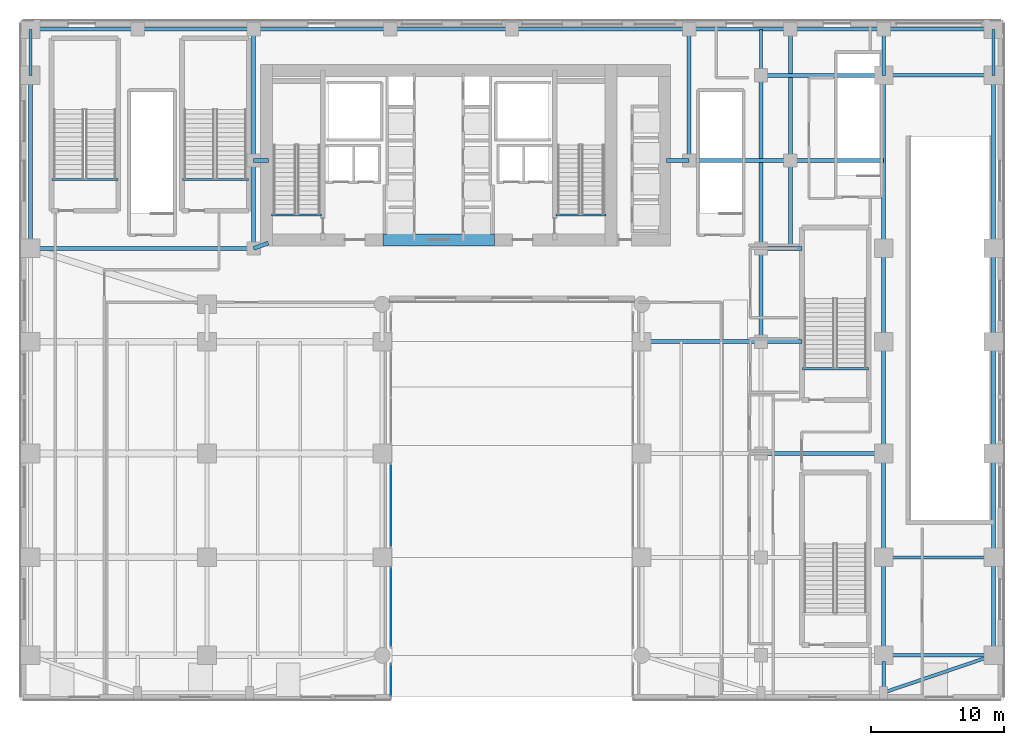
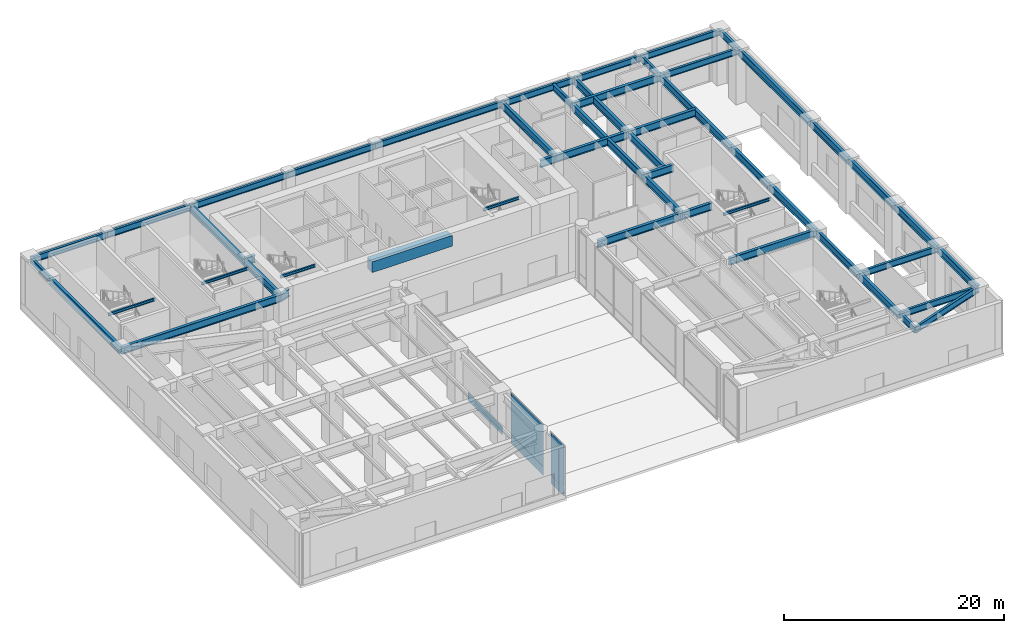
# One storey, part 11 of 28: 52 beams, 5 plates, 3 elements without a shape of their own.
"""IFC4 building model written with IfcOpenShell, lengths in metres."""

from ifc_helpers import new_model, si_unit, direction, frame, origin, origin_2d, place, context, subcontext, project, spatial, rectangle, i_section, extrude, source, transform, mapped, material, layer, layer_set, material_profile, profile_set, type_object, type_shapes, element, aggregate, save


model = new_model("IFC4")

# Units and contexts
model_context = context("Model", 3, precision=1e-05, world=origin(), true_north=direction((0.0, 1.0)))
body_context = subcontext(model_context, "Body", "Model", "MODEL_VIEW")
ifc_project = project(units=[si_unit("LENGTHUNIT", "METRE"), si_unit("AREAUNIT", "SQUARE_METRE"), si_unit("VOLUMEUNIT", "CUBIC_METRE"), si_unit("PLANEANGLEUNIT", "RADIAN"), si_unit("MASSUNIT", "GRAM", prefix="KILO")], contexts=[model_context])

# Site, building, storey
site_placement = place(None, origin())
site = spatial("IfcSite", under=ifc_project, at=site_placement, CompositionType="ELEMENT")
building_placement = place(site_placement, origin())
building = spatial("IfcBuilding", under=site, at=building_placement, Name="Tolvann Quenvar Hotel", CompositionType="ELEMENT")
storey_placement = place(building_placement, origin())
storey = spatial("IfcBuildingStorey", under=building, at=storey_placement, Name="L00", CompositionType="ELEMENT", Elevation=0.0)

# Beams
ifc_material_1 = material(Name="Concrete S80 (80 MPa)", Category="concrete")
ifc_material_profile_1 = material_profile(ifc_material_1, rectangle(XDim=0.89990234375, YDim=1.199951171875, at=origin_2d()), Name="RC900x1200")
ifc_profile_set_1 = profile_set([ifc_material_profile_1], Name="Concrete S80 (80 MPa)")
beam_type_1 = type_object("IfcBeamType", Name="BM_LINT_RC900x1200", PredefinedType="LINTEL", material=ifc_profile_set_1)
shared_shape_1 = source(origin(), body_context, "Body", "SweptSolid", [
    extrude(rectangle(XDim=0.89990234375, YDim=1.199951171875, at=origin_2d()), origin(), (0.0, 0.0, 1.0), 8.39990234375),
])
type_shapes(beam_type_1, [shared_shape_1])
beam_1_placement = place(storey_placement, frame((18.800048828125, 32.050048828125, 5.139892578125), z_axis=(1.0, 0.0, 0.0), x_axis=(0.0, 1.0, 0.0)))
element("IfcBeam", 1, at=beam_1_placement, inside=storey, type_object=beam_type_1, Name="Core Coupling Lintel Beam (L00)", PredefinedType="LINTEL", context=body_context, shape_type="MappedRepresentation", body=[
    mapped(shared_shape_1, transform((0.0, 0.0, 0.0), x_axis=(1.0, 0.0, 0.0), y_axis=(0.0, 1.0, 0.0), z_axis=(0.0, 0.0, 1.0), scale=1.0)),
])
ifc_material_2 = material(Name="Steel Grade 350", Category="steel")
ifc_material_profile_2 = material_profile(ifc_material_2, i_section(OverallWidth=0.300048828125, OverallDepth=0.81591796875, WebThickness=0.010009765625, FlangeThickness=0.028076171875, at=origin_2d()), Name="800WB192")
ifc_profile_set_2 = profile_set([ifc_material_profile_2], Name="Steel Grade 350")
beam_type_2 = type_object("IfcBeamType", Name="BM_GIRD_800WB192", PredefinedType="BEAM", material=ifc_profile_set_2)
shared_shape_2 = source(origin(), body_context, "Body", "SweptSolid", [
    extrude(i_section(OverallWidth=0.300048828125, OverallDepth=0.81591796875, WebThickness=0.010009765625, FlangeThickness=0.028076171875, at=origin_2d()), origin(), (0.0, 0.0, 1.0), 7.349853515625),
])
for number, where, z_axis, x_axis, name in (
    (2, (56.39990234375, 0.85009765625, 5.33203125), (0.0, 1.0, 0.0), (-1.0, 0.0, 0.0), "BM-L00-NS-J-0"),
    (3, (64.64990234375, 0.85009765625, 5.33203125), (0.0, 1.0, 0.0), (-1.0, 0.0, 0.0), "BM-L00-NS-K-0"),
):
    element("IfcBeam", number, at=place(storey_placement, frame(where, z_axis=z_axis, x_axis=x_axis)), inside=storey, type_object=beam_type_2, Name=name, PredefinedType="BEAM", context=body_context, shape_type="MappedRepresentation", body=[
        mapped(shared_shape_2, transform((0.0, 0.0, 0.0), x_axis=(1.0, 0.0, 0.0), y_axis=(0.0, 1.0, 0.0), z_axis=(0.0, 0.0, 1.0), scale=1.0)),
    ])
shared_shape_3 = source(origin(), body_context, "Body", "SweptSolid", [
    extrude(i_section(OverallWidth=0.300048828125, OverallDepth=0.81591796875, WebThickness=0.010009765625, FlangeThickness=0.028076171875, at=origin_2d()), origin(), (0.0, 0.0, 1.0), 7.800048828125),
])
for number, where, z_axis, x_axis, name in (
    (4, (56.39990234375, 8.199951171875, 5.33203125), (0.0, 1.0, 0.0), (-1.0, 0.0, 0.0), "BM-L00-NS-J-1"),
    (5, (64.64990234375, 8.199951171875, 5.33203125), (0.0, 1.0, 0.0), (-1.0, 0.0, 0.0), "BM-L00-NS-K-1"),
):
    element("IfcBeam", number, at=place(storey_placement, frame(where, z_axis=z_axis, x_axis=x_axis)), inside=storey, type_object=beam_type_2, Name=name, PredefinedType="BEAM", context=body_context, shape_type="MappedRepresentation", body=[
        mapped(shared_shape_3, transform((0.0, 0.0, 0.0), x_axis=(1.0, 0.0, 0.0), y_axis=(0.0, 1.0, 0.0), z_axis=(0.0, 0.0, 1.0), scale=1.0)),
    ])
shared_shape_4 = source(origin(), body_context, "Body", "SweptSolid", [
    extrude(i_section(OverallWidth=0.300048828125, OverallDepth=0.81591796875, WebThickness=0.010009765625, FlangeThickness=0.028076171875, at=origin_2d()), origin(), (0.0, 0.0, 1.0), 8.39990234375),
])
for number, where, z_axis, x_axis, name in (
    (6, (56.39990234375, 16.0, 5.33203125), (0.0, 1.0, 0.0), (-1.0, 0.0, 0.0), "BM-L00-NS-J-2"),
    (7, (64.64990234375, 16.0, 5.33203125), (0.0, 1.0, 0.0), (-1.0, 0.0, 0.0), "BM-L00-NS-K-2"),
):
    element("IfcBeam", number, at=place(storey_placement, frame(where, z_axis=z_axis, x_axis=x_axis)), inside=storey, type_object=beam_type_2, Name=name, PredefinedType="BEAM", context=body_context, shape_type="MappedRepresentation", body=[
        mapped(shared_shape_4, transform((0.0, 0.0, 0.0), x_axis=(1.0, 0.0, 0.0), y_axis=(0.0, 1.0, 0.0), z_axis=(0.0, 0.0, 1.0), scale=1.0)),
    ])
shared_shape_5 = source(origin(), body_context, "Body", "SweptSolid", [
    extrude(i_section(OverallWidth=0.300048828125, OverallDepth=0.81591796875, WebThickness=0.010009765625, FlangeThickness=0.028076171875, at=origin_2d()), origin(), (0.0, 0.0, 1.0), 8.949951171875),
])
beam_2_placement = place(storey_placement, frame((38.25, 24.39990234375, 5.33203125), z_axis=(1.0, 0.0, 0.0), x_axis=(0.0, 1.0, 0.0)))
element("IfcBeam", 8, at=beam_2_placement, inside=storey, type_object=beam_type_2, Name="BM-L00-GE1-4", PredefinedType="BEAM", context=body_context, shape_type="MappedRepresentation", body=[
    mapped(shared_shape_5, transform((0.0, 0.0, 0.0), x_axis=(1.0, 0.0, 0.0), y_axis=(0.0, 1.0, 0.0), z_axis=(0.0, 0.0, 1.0), scale=1.0)),
])
shared_shape_6 = source(origin(), body_context, "Body", "SweptSolid", [
    extrude(i_section(OverallWidth=0.300048828125, OverallDepth=0.81591796875, WebThickness=0.010009765625, FlangeThickness=0.028076171875, at=origin_2d()), origin(), (0.0, 0.0, 1.0), 9.199951171875),
])
for number, where, z_axis, x_axis, name in (
    (9, (47.199951171875, 16.0, 5.33203125), (1.0, 0.0, 0.0), (0.0, 1.0, 0.0), "BM-L00-GE2-3"),
    (10, (47.199951171875, 44.39990234375, 5.33203125), (1.0, 0.0, 0.0), (0.0, 1.0, 0.0), "BM-L00-GE2-6"),
):
    element("IfcBeam", number, at=place(storey_placement, frame(where, z_axis=z_axis, x_axis=x_axis)), inside=storey, type_object=beam_type_2, Name=name, PredefinedType="BEAM", context=body_context, shape_type="MappedRepresentation", body=[
        mapped(shared_shape_6, transform((0.0, 0.0, 0.0), x_axis=(1.0, 0.0, 0.0), y_axis=(0.0, 1.0, 0.0), z_axis=(0.0, 0.0, 1.0), scale=1.0)),
    ])
ifc_material_profile_3 = material_profile(ifc_material_2, i_section(OverallWidth=0.25, OverallDepth=0.699951171875, WebThickness=0.010009765625, FlangeThickness=0.02392578125, at=origin_2d()), Name="700WB150")
ifc_profile_set_3 = profile_set([ifc_material_profile_3], Name="Steel Grade 350")
beam_type_3 = type_object("IfcBeamType", Name="BM_GIRD_700WB150", PredefinedType="BEAM", material=ifc_profile_set_3)
shared_shape_7 = source(origin(), body_context, "Body", "SweptSolid", [
    extrude(i_section(OverallWidth=0.25, OverallDepth=0.699951171875, WebThickness=0.010009765625, FlangeThickness=0.02392578125, at=origin_2d()), origin(), (0.0, 0.0, 1.0), 8.25),
])
for number, where, z_axis, x_axis, name in (
    (11, (56.39990234375, 0.85009765625, 5.389892578125), (1.0, 0.0, 0.0), (0.0, 1.0, 0.0), "BM-L00-GE3-1"),
    (12, (56.39990234375, 8.199951171875, 5.389892578125), (1.0, 0.0, 0.0), (0.0, 1.0, 0.0), "BM-L00-GE3-2"),
    (13, (56.39990234375, 44.39990234375, 5.389892578125), (1.0, 0.0, 0.0), (0.0, 1.0, 0.0), "BM-L00-GE3-6"),
    (14, (56.39990234375, 47.85009765625, 5.389892578125), (1.0, 0.0, 0.0), (0.0, 1.0, 0.0), "BM-L00-EWN-7"),
):
    element("IfcBeam", number, at=place(storey_placement, frame(where, z_axis=z_axis, x_axis=x_axis)), inside=storey, type_object=beam_type_3, Name=name, PredefinedType="BEAM", context=body_context, shape_type="MappedRepresentation", body=[
        mapped(shared_shape_7, transform((0.0, 0.0, 0.0), x_axis=(1.0, 0.0, 0.0), y_axis=(0.0, 1.0, 0.0), z_axis=(0.0, 0.0, 1.0), scale=1.0)),
    ])
shared_shape_8 = source(origin(), body_context, "Body", "SweptSolid", [
    extrude(i_section(OverallWidth=0.300048828125, OverallDepth=0.81591796875, WebThickness=0.010009765625, FlangeThickness=0.028076171875, at=origin_2d()), origin(), (0.0, 0.0, 1.0), 7.0),
])
for number, where, z_axis, x_axis, name in (
    (15, (47.199951171875, 24.39990234375, 5.33203125), (0.0, 1.0, 0.0), (-1.0, 0.0, 0.0), "BM-L00-NS-H-3"),
    (16, (56.39990234375, 24.39990234375, 5.33203125), (0.0, 1.0, 0.0), (-1.0, 0.0, 0.0), "BM-L00-NS-J-3"),
    (17, (64.64990234375, 24.39990234375, 5.33203125), (0.0, 1.0, 0.0), (-1.0, 0.0, 0.0), "BM-L00-NS-K-3"),
    (18, (49.39990234375, 38.0, 5.33203125), (1.0, 0.0, 0.0), (0.0, 1.0, 0.0), "BM-L00-EW-PIN3"),
):
    element("IfcBeam", number, at=place(storey_placement, frame(where, z_axis=z_axis, x_axis=x_axis)), inside=storey, type_object=beam_type_2, Name=name, PredefinedType="BEAM", context=body_context, shape_type="MappedRepresentation", body=[
        mapped(shared_shape_8, transform((0.0, 0.0, 0.0), x_axis=(1.0, 0.0, 0.0), y_axis=(0.0, 1.0, 0.0), z_axis=(0.0, 0.0, 1.0), scale=1.0)),
    ])
shared_shape_9 = source(origin(), body_context, "Body", "SweptSolid", [
    extrude(i_section(OverallWidth=0.300048828125, OverallDepth=0.81591796875, WebThickness=0.010009765625, FlangeThickness=0.028076171875, at=origin_2d()), origin(), (0.0, 0.0, 1.0), 13.0),
])
for number, where, z_axis, x_axis, name in (
    (19, (-7.64990234375, 31.39990234375, 5.33203125), (0.0, 1.0, 0.0), (-1.0, 0.0, 0.0), "BM-L00-NS-A-4"),
    (20, (47.199951171875, 31.39990234375, 5.33203125), (0.0, 1.0, 0.0), (-1.0, 0.0, 0.0), "BM-L00-NS-H-4"),
    (21, (56.39990234375, 31.39990234375, 5.33203125), (0.0, 1.0, 0.0), (-1.0, 0.0, 0.0), "BM-L00-NS-J-4"),
    (22, (64.64990234375, 31.39990234375, 5.33203125), (0.0, 1.0, 0.0), (-1.0, 0.0, 0.0), "BM-L00-NS-K-4"),
):
    element("IfcBeam", number, at=place(storey_placement, frame(where, z_axis=z_axis, x_axis=x_axis)), inside=storey, type_object=beam_type_2, Name=name, PredefinedType="BEAM", context=body_context, shape_type="MappedRepresentation", body=[
        mapped(shared_shape_9, transform((0.0, 0.0, 0.0), x_axis=(1.0, 0.0, 0.0), y_axis=(0.0, 1.0, 0.0), z_axis=(0.0, 0.0, 1.0), scale=1.0)),
    ])
shared_shape_10 = source(origin(), body_context, "Body", "SweptSolid", [
    extrude(i_section(OverallWidth=0.25, OverallDepth=0.699951171875, WebThickness=0.010009765625, FlangeThickness=0.02392578125, at=origin_2d()), origin(), (0.0, 0.0, 1.0), 3.4501953125),
])
for number, where, z_axis, x_axis, name in (
    (23, (-7.64990234375, 44.39990234375, 5.389892578125), (0.0, 1.0, 0.0), (-1.0, 0.0, 0.0), "BM-L00-NSN-A"),
    (24, (47.199951171875, 44.39990234375, 5.389892578125), (0.0, 1.0, 0.0), (-1.0, 0.0, 0.0), "BM-L00-NSN-H"),
    (25, (56.39990234375, 44.39990234375, 5.389892578125), (0.0, 1.0, 0.0), (-1.0, 0.0, 0.0), "BM-L00-NSN-J"),
    (26, (64.64990234375, 44.39990234375, 5.389892578125), (0.0, 1.0, 0.0), (-1.0, 0.0, 0.0), "BM-L00-NSN-K"),
):
    element("IfcBeam", number, at=place(storey_placement, frame(where, z_axis=z_axis, x_axis=x_axis)), inside=storey, type_object=beam_type_3, Name=name, PredefinedType="BEAM", context=body_context, shape_type="MappedRepresentation", body=[
        mapped(shared_shape_10, transform((0.0, 0.0, 0.0), x_axis=(1.0, 0.0, 0.0), y_axis=(0.0, 1.0, 0.0), z_axis=(0.0, 0.0, 1.0), scale=1.0)),
    ])
shared_shape_11 = source(origin(), body_context, "Body", "SweptSolid", [
    extrude(i_section(OverallWidth=0.25, OverallDepth=0.699951171875, WebThickness=0.010009765625, FlangeThickness=0.02392578125, at=origin_2d()), origin(), (0.0, 0.0, 1.0), 2.349853515625),
])
beam_3_placement = place(storey_placement, frame((56.39990234375, -1.949951171875, 5.389892578125), z_axis=(0.0, 1.0, 0.0), x_axis=(-1.0, 0.0, 0.0)))
element("IfcBeam", 27, at=beam_3_placement, inside=storey, type_object=beam_type_3, Name="BM-L00-NSS-J", PredefinedType="BEAM", context=body_context, shape_type="MappedRepresentation", body=[
    mapped(shared_shape_11, transform((0.0, 0.0, 0.0), x_axis=(1.0, 0.0, 0.0), y_axis=(0.0, 1.0, 0.0), z_axis=(0.0, 0.0, 1.0), scale=1.0)),
])
shared_shape_12 = source(origin(), body_context, "Body", "SweptSolid", [
    extrude(i_section(OverallWidth=0.25, OverallDepth=0.699951171875, WebThickness=0.010009765625, FlangeThickness=0.02392578125, at=origin_2d()), origin(), (0.0, 0.0, 1.0), 8.712158203125),
])
beam_4_placement = place(storey_placement, frame((56.39990234375, -1.949951171875, 5.389892578125), z_axis=(0.946945808453, 0.32139327288, 0.0), x_axis=(-0.32139327288, 0.946945808453, 0.0)))
element("IfcBeam", 28, at=beam_4_placement, inside=storey, type_object=beam_type_3, Name="BM-L00-EWS-E2", PredefinedType="BEAM", context=body_context, shape_type="MappedRepresentation", body=[
    mapped(shared_shape_12, transform((0.0, 0.0, 0.0), x_axis=(1.0, 0.0, 0.0), y_axis=(0.0, 1.0, 0.0), z_axis=(0.0, 0.0, 1.0), scale=1.0)),
])
shared_shape_13 = source(origin(), body_context, "Body", "SweptSolid", [
    extrude(i_section(OverallWidth=0.25, OverallDepth=0.699951171875, WebThickness=0.010009765625, FlangeThickness=0.02392578125, at=origin_2d()), origin(), (0.0, 0.0, 1.0), 8.0498046875),
])
beam_5_placement = place(storey_placement, frame((-7.64990234375, 47.85009765625, 5.389892578125), z_axis=(1.0, 0.0, 0.0), x_axis=(0.0, 1.0, 0.0)))
element("IfcBeam", 29, at=beam_5_placement, inside=storey, type_object=beam_type_3, Name="BM-L00-EWN-0", PredefinedType="BEAM", context=body_context, shape_type="MappedRepresentation", body=[
    mapped(shared_shape_13, transform((0.0, 0.0, 0.0), x_axis=(1.0, 0.0, 0.0), y_axis=(0.0, 1.0, 0.0), z_axis=(0.0, 0.0, 1.0), scale=1.0)),
])
shared_shape_14 = source(origin(), body_context, "Body", "SweptSolid", [
    extrude(i_section(OverallWidth=0.25, OverallDepth=0.699951171875, WebThickness=0.010009765625, FlangeThickness=0.02392578125, at=origin_2d()), origin(), (0.0, 0.0, 1.0), 8.7001953125),
])
beam_6_placement = place(storey_placement, frame((0.39990234375, 47.85009765625, 5.389892578125), z_axis=(1.0, 0.0, 0.0), x_axis=(0.0, 1.0, 0.0)))
element("IfcBeam", 30, at=beam_6_placement, inside=storey, type_object=beam_type_3, Name="BM-L00-EWN-1", PredefinedType="BEAM", context=body_context, shape_type="MappedRepresentation", body=[
    mapped(shared_shape_14, transform((0.0, 0.0, 0.0), x_axis=(1.0, 0.0, 0.0), y_axis=(0.0, 1.0, 0.0), z_axis=(0.0, 0.0, 1.0), scale=1.0)),
])
shared_shape_15 = source(origin(), body_context, "Body", "SweptSolid", [
    extrude(i_section(OverallWidth=0.25, OverallDepth=0.699951171875, WebThickness=0.010009765625, FlangeThickness=0.02392578125, at=origin_2d()), origin(), (0.0, 0.0, 1.0), 10.25),
])
beam_7_placement = place(storey_placement, frame((9.10009765625, 47.85009765625, 5.389892578125), z_axis=(1.0, 0.0, 0.0), x_axis=(0.0, 1.0, 0.0)))
element("IfcBeam", 31, at=beam_7_placement, inside=storey, type_object=beam_type_3, Name="BM-L00-EWN-2", PredefinedType="BEAM", context=body_context, shape_type="MappedRepresentation", body=[
    mapped(shared_shape_15, transform((0.0, 0.0, 0.0), x_axis=(1.0, 0.0, 0.0), y_axis=(0.0, 1.0, 0.0), z_axis=(0.0, 0.0, 1.0), scale=1.0)),
])
shared_shape_16 = source(origin(), body_context, "Body", "SweptSolid", [
    extrude(i_section(OverallWidth=0.25, OverallDepth=0.699951171875, WebThickness=0.010009765625, FlangeThickness=0.02392578125, at=origin_2d()), origin(), (0.0, 0.0, 1.0), 9.14990234375),
])
beam_8_placement = place(storey_placement, frame((19.35009765625, 47.85009765625, 5.389892578125), z_axis=(1.0, 0.0, 0.0), x_axis=(0.0, 1.0, 0.0)))
element("IfcBeam", 32, at=beam_8_placement, inside=storey, type_object=beam_type_3, Name="BM-L00-EWN-3", PredefinedType="BEAM", context=body_context, shape_type="MappedRepresentation", body=[
    mapped(shared_shape_16, transform((0.0, 0.0, 0.0), x_axis=(1.0, 0.0, 0.0), y_axis=(0.0, 1.0, 0.0), z_axis=(0.0, 0.0, 1.0), scale=1.0)),
])
shared_shape_17 = source(origin(), body_context, "Body", "SweptSolid", [
    extrude(i_section(OverallWidth=0.25, OverallDepth=0.699951171875, WebThickness=0.010009765625, FlangeThickness=0.02392578125, at=origin_2d()), origin(), (0.0, 0.0, 1.0), 13.300048828125),
])
beam_9_placement = place(storey_placement, frame((28.5, 47.85009765625, 5.389892578125), z_axis=(1.0, 0.0, 0.0), x_axis=(0.0, 1.0, 0.0)))
element("IfcBeam", 33, at=beam_9_placement, inside=storey, type_object=beam_type_3, Name="BM-L00-EWN-4", PredefinedType="BEAM", context=body_context, shape_type="MappedRepresentation", body=[
    mapped(shared_shape_17, transform((0.0, 0.0, 0.0), x_axis=(1.0, 0.0, 0.0), y_axis=(0.0, 1.0, 0.0), z_axis=(0.0, 0.0, 1.0), scale=1.0)),
])
shared_shape_18 = source(origin(), body_context, "Body", "SweptSolid", [
    extrude(i_section(OverallWidth=0.25, OverallDepth=0.699951171875, WebThickness=0.010009765625, FlangeThickness=0.02392578125, at=origin_2d()), origin(), (0.0, 0.0, 1.0), 7.599853515625),
])
beam_10_placement = place(storey_placement, frame((41.800048828125, 47.85009765625, 5.389892578125), z_axis=(1.0, 0.0, 0.0), x_axis=(0.0, 1.0, 0.0)))
element("IfcBeam", 34, at=beam_10_placement, inside=storey, type_object=beam_type_3, Name="BM-L00-EWN-5", PredefinedType="BEAM", context=body_context, shape_type="MappedRepresentation", body=[
    mapped(shared_shape_18, transform((0.0, 0.0, 0.0), x_axis=(1.0, 0.0, 0.0), y_axis=(0.0, 1.0, 0.0), z_axis=(0.0, 0.0, 1.0), scale=1.0)),
])
shared_shape_19 = source(origin(), body_context, "Body", "SweptSolid", [
    extrude(i_section(OverallWidth=0.25, OverallDepth=0.699951171875, WebThickness=0.010009765625, FlangeThickness=0.02392578125, at=origin_2d()), origin(), (0.0, 0.0, 1.0), 7.0),
])
type_shapes(beam_type_3, [shared_shape_7, shared_shape_10, shared_shape_11, shared_shape_12, shared_shape_13, shared_shape_14, shared_shape_15, shared_shape_16, shared_shape_17, shared_shape_18, shared_shape_19])
beam_11_placement = place(storey_placement, frame((49.39990234375, 47.85009765625, 5.389892578125), z_axis=(1.0, 0.0, 0.0), x_axis=(0.0, 1.0, 0.0)))
element("IfcBeam", 35, at=beam_11_placement, inside=storey, type_object=beam_type_3, Name="BM-L00-EWN-6", PredefinedType="BEAM", context=body_context, shape_type="MappedRepresentation", body=[
    mapped(shared_shape_19, transform((0.0, 0.0, 0.0), x_axis=(1.0, 0.0, 0.0), y_axis=(0.0, 1.0, 0.0), z_axis=(0.0, 0.0, 1.0), scale=1.0)),
])
shared_shape_20 = source(origin(), body_context, "Body", "SweptSolid", [
    extrude(i_section(OverallWidth=0.300048828125, OverallDepth=0.81591796875, WebThickness=0.010009765625, FlangeThickness=0.028076171875, at=origin_2d()), origin(), (0.0, 0.0, 1.0), 16.75),
])
beam_12_placement = place(storey_placement, frame((-7.64990234375, 31.39990234375, 5.33203125), z_axis=(1.0, 0.0, 0.0), x_axis=(0.0, 1.0, 0.0)))
element("IfcBeam", 36, at=beam_12_placement, inside=storey, type_object=beam_type_2, Name="BM-L00-EW-PCNS", PredefinedType="BEAM", context=body_context, shape_type="MappedRepresentation", body=[
    mapped(shared_shape_20, transform((0.0, 0.0, 0.0), x_axis=(1.0, 0.0, 0.0), y_axis=(0.0, 1.0, 0.0), z_axis=(0.0, 0.0, 1.0), scale=1.0)),
])
shared_shape_21 = source(origin(), body_context, "Body", "SweptSolid", [
    extrude(i_section(OverallWidth=0.300048828125, OverallDepth=0.81591796875, WebThickness=0.010009765625, FlangeThickness=0.028076171875, at=origin_2d()), origin(), (0.0, 0.0, 1.0), 1.17041015625),
])
beam_13_placement = place(storey_placement, frame((9.10009765625, 31.39990234375, 5.33203125), z_axis=(0.939738597058, 0.34189379813, 0.0), x_axis=(-0.34189379813, 0.939738597058, 0.0)))
element("IfcBeam", 37, at=beam_13_placement, inside=storey, type_object=beam_type_2, Name="BM-L00-EW-PCNS2", PredefinedType="BEAM", context=body_context, shape_type="MappedRepresentation", body=[
    mapped(shared_shape_21, transform((0.0, 0.0, 0.0), x_axis=(1.0, 0.0, 0.0), y_axis=(0.0, 1.0, 0.0), z_axis=(0.0, 0.0, 1.0), scale=1.0)),
])
shared_shape_22 = source(origin(), body_context, "Body", "SweptSolid", [
    extrude(i_section(OverallWidth=0.300048828125, OverallDepth=0.81591796875, WebThickness=0.010009765625, FlangeThickness=0.028076171875, at=origin_2d()), origin(), (0.0, 0.0, 1.0), 6.60009765625),
])
for number, where, z_axis, x_axis, name in (
    (38, (9.10009765625, 31.39990234375, 5.33203125), (0.0, 1.0, 0.0), (-1.0, 0.0, 0.0), "BM-L00-NSB-PCN1"),
    (39, (49.39990234375, 31.39990234375, 5.33203125), (0.0, 1.0, 0.0), (-1.0, 0.0, 0.0), "BM-L00-NSB-PIN1"),
):
    element("IfcBeam", number, at=place(storey_placement, frame(where, z_axis=z_axis, x_axis=x_axis)), inside=storey, type_object=beam_type_2, Name=name, PredefinedType="BEAM", context=body_context, shape_type="MappedRepresentation", body=[
        mapped(shared_shape_22, transform((0.0, 0.0, 0.0), x_axis=(1.0, 0.0, 0.0), y_axis=(0.0, 1.0, 0.0), z_axis=(0.0, 0.0, 1.0), scale=1.0)),
    ])
shared_shape_23 = source(origin(), body_context, "Body", "SweptSolid", [
    extrude(i_section(OverallWidth=0.300048828125, OverallDepth=0.81591796875, WebThickness=0.010009765625, FlangeThickness=0.028076171875, at=origin_2d()), origin(), (0.0, 0.0, 1.0), 9.85009765625),
])
for number, where, z_axis, x_axis, name in (
    (40, (9.10009765625, 38.0, 5.33203125), (0.0, 1.0, 0.0), (-1.0, 0.0, 0.0), "BM-L00-NSB-PCN2"),
    (41, (41.800048828125, 38.0, 5.33203125), (0.0, 1.0, 0.0), (-1.0, 0.0, 0.0), "BM-L00-NSB-PHN2"),
    (42, (49.39990234375, 38.0, 5.33203125), (0.0, 1.0, 0.0), (-1.0, 0.0, 0.0), "BM-L00-NSB-PIN2"),
):
    element("IfcBeam", number, at=place(storey_placement, frame(where, z_axis=z_axis, x_axis=x_axis)), inside=storey, type_object=beam_type_2, Name=name, PredefinedType="BEAM", context=body_context, shape_type="MappedRepresentation", body=[
        mapped(shared_shape_23, transform((0.0, 0.0, 0.0), x_axis=(1.0, 0.0, 0.0), y_axis=(0.0, 1.0, 0.0), z_axis=(0.0, 0.0, 1.0), scale=1.0)),
    ])
shared_shape_24 = source(origin(), body_context, "Body", "SweptSolid", [
    extrude(i_section(OverallWidth=0.300048828125, OverallDepth=0.81591796875, WebThickness=0.010009765625, FlangeThickness=0.028076171875, at=origin_2d()), origin(), (0.0, 0.0, 1.0), 1.099853515625),
])
beam_14_placement = place(storey_placement, frame((9.10009765625, 38.0, 5.33203125), z_axis=(1.0, 0.0, 0.0), x_axis=(0.0, 1.0, 0.0)))
element("IfcBeam", 43, at=beam_14_placement, inside=storey, type_object=beam_type_2, Name="BM-L00-EW-PCN", PredefinedType="BEAM", context=body_context, shape_type="MappedRepresentation", body=[
    mapped(shared_shape_24, transform((0.0, 0.0, 0.0), x_axis=(1.0, 0.0, 0.0), y_axis=(0.0, 1.0, 0.0), z_axis=(0.0, 0.0, 1.0), scale=1.0)),
])
shared_shape_25 = source(origin(), body_context, "Body", "SweptSolid", [
    extrude(i_section(OverallWidth=0.300048828125, OverallDepth=0.81591796875, WebThickness=0.010009765625, FlangeThickness=0.028076171875, at=origin_2d()), origin(), (0.0, 0.0, 1.0), 1.699951171875),
])
beam_15_placement = place(storey_placement, frame((40.10009765625, 38.0, 5.33203125), z_axis=(1.0, 0.0, 0.0), x_axis=(0.0, 1.0, 0.0)))
element("IfcBeam", 44, at=beam_15_placement, inside=storey, type_object=beam_type_2, Name="BM-L00-EW-PHN1", PredefinedType="BEAM", context=body_context, shape_type="MappedRepresentation", body=[
    mapped(shared_shape_25, transform((0.0, 0.0, 0.0), x_axis=(1.0, 0.0, 0.0), y_axis=(0.0, 1.0, 0.0), z_axis=(0.0, 0.0, 1.0), scale=1.0)),
])
shared_shape_26 = source(origin(), body_context, "Body", "SweptSolid", [
    extrude(i_section(OverallWidth=0.300048828125, OverallDepth=0.81591796875, WebThickness=0.010009765625, FlangeThickness=0.028076171875, at=origin_2d()), origin(), (0.0, 0.0, 1.0), 3.074951171875),
])
for number, where, z_axis, x_axis, name in (
    (45, (47.199951171875, 24.39990234375, 5.33203125), (1.0, 0.0, 0.0), (0.0, 1.0, 0.0), "BM-L00-GE2-4"),
    (46, (47.199951171875, 31.39990234375, 5.33203125), (1.0, 0.0, 0.0), (0.0, 1.0, 0.0), "BM-L00-GE2-5"),
):
    element("IfcBeam", number, at=place(storey_placement, frame(where, z_axis=z_axis, x_axis=x_axis)), inside=storey, type_object=beam_type_2, Name=name, PredefinedType="BEAM", context=body_context, shape_type="MappedRepresentation", body=[
        mapped(shared_shape_26, transform((0.0, 0.0, 0.0), x_axis=(1.0, 0.0, 0.0), y_axis=(0.0, 1.0, 0.0), z_axis=(0.0, 0.0, 1.0), scale=1.0)),
    ])
shared_shape_27 = source(origin(), body_context, "Body", "SweptSolid", [
    extrude(i_section(OverallWidth=0.300048828125, OverallDepth=0.81591796875, WebThickness=0.010009765625, FlangeThickness=0.028076171875, at=origin_2d()), origin(), (0.0, 0.0, 1.0), 7.599853515625),
])
type_shapes(beam_type_2, [shared_shape_2, shared_shape_3, shared_shape_4, shared_shape_5, shared_shape_6, shared_shape_8, shared_shape_9, shared_shape_20, shared_shape_21, shared_shape_22, shared_shape_23, shared_shape_24, shared_shape_25, shared_shape_26, shared_shape_27])
beam_16_placement = place(storey_placement, frame((41.800048828125, 38.0, 5.33203125), z_axis=(1.0, 0.0, 0.0), x_axis=(0.0, 1.0, 0.0)))
element("IfcBeam", 47, at=beam_16_placement, inside=storey, type_object=beam_type_2, Name="BM-L00-EW-PHN2", PredefinedType="BEAM", context=body_context, shape_type="MappedRepresentation", body=[
    mapped(shared_shape_27, transform((0.0, 0.0, 0.0), x_axis=(1.0, 0.0, 0.0), y_axis=(0.0, 1.0, 0.0), z_axis=(0.0, 0.0, 1.0), scale=1.0)),
])
ifc_material_profile_4 = material_profile(ifc_material_2, i_section(OverallWidth=0.166015625, OverallDepth=0.306884765625, WebThickness=0.006591796875, FlangeThickness=0.01171875, FilletRadius=0.011474609375, at=origin_2d()), Name="310UB46")
ifc_profile_set_4 = profile_set([ifc_material_profile_4], Name="Steel Grade 350")
beam_type_4 = type_object("IfcBeamType", Name="BM_JOIST_310UB46", PredefinedType="JOIST", material=ifc_profile_set_4)
shared_shape_28 = source(origin(), body_context, "Body", "SweptSolid", [
    extrude(i_section(OverallWidth=0.166015625, OverallDepth=0.306884765625, WebThickness=0.006591796875, FlangeThickness=0.01171875, FilletRadius=0.011474609375, at=origin_2d()), origin(), (0.0, 0.0, 1.0), 3.75),
])
for number, where, z_axis, x_axis, name in (
    (48, (10.449951171875, 33.9150390625, 5.58642578125), (1.0, 0.0, 0.0), (0.0, 1.0, 0.0), "BM-HDR-ST-C1-L01"),
    (49, (31.800048828125, 33.9150390625, 5.58642578125), (1.0, 0.0, 0.0), (0.0, 1.0, 0.0), "BM-HDR-ST-C2-L01"),
):
    element("IfcBeam", number, at=place(storey_placement, frame(where, z_axis=z_axis, x_axis=x_axis)), inside=storey, type_object=beam_type_4, Name=name, PredefinedType="JOIST", context=body_context, shape_type="MappedRepresentation", body=[
        mapped(shared_shape_28, transform((0.0, 0.0, 0.0), x_axis=(1.0, 0.0, 0.0), y_axis=(0.0, 1.0, 0.0), z_axis=(0.0, 0.0, 1.0), scale=1.0)),
    ])
shared_shape_29 = source(origin(), body_context, "Body", "SweptSolid", [
    extrude(i_section(OverallWidth=0.166015625, OverallDepth=0.306884765625, WebThickness=0.006591796875, FlangeThickness=0.01171875, FilletRadius=0.011474609375, at=origin_2d()), origin(), (0.0, 0.0, 1.0), 4.949951171875),
])
type_shapes(beam_type_4, [shared_shape_28, shared_shape_29])
for number, where, z_axis, x_axis, name in (
    (50, (-6.050048828125, 36.56494140625, 5.58642578125), (1.0, 0.0, 0.0), (0.0, 1.0, 0.0), "BM-HDR-ST-P1-L01"),
    (51, (3.75, 36.56494140625, 5.58642578125), (1.0, 0.0, 0.0), (0.0, 1.0, 0.0), "BM-HDR-ST-P2-L01"),
    (52, (50.300048828125, 22.364990234375, 5.58642578125), (1.0, 0.0, 0.0), (0.0, 1.0, 0.0), "BM-HDR-ST-P4-L01"),
):
    element("IfcBeam", number, at=place(storey_placement, frame(where, z_axis=z_axis, x_axis=x_axis)), inside=storey, type_object=beam_type_4, Name=name, PredefinedType="JOIST", context=body_context, shape_type="MappedRepresentation", body=[
        mapped(shared_shape_29, transform((0.0, 0.0, 0.0), x_axis=(1.0, 0.0, 0.0), y_axis=(0.0, 1.0, 0.0), z_axis=(0.0, 0.0, 1.0), scale=1.0)),
    ])

# Curtain wall, plates
ifc_material_3 = material(Name="Thermally broken anodised architectural aluminium 6063-T6 and laminated low-E glass", Category="aluminium")
ifc_layer_1 = layer(ifc_material_3, 0.179931640625)
ifc_layer_set_1 = layer_set([ifc_layer_1], Name="Thermally broken anodised architectural aluminium 6063-T6 and laminated low-E glass")
curtain_wall_type = type_object("IfcCurtainWallType", Name="CW_SYS_ARCH_01", PredefinedType="USERDEFINED", material=ifc_layer_set_1)
curtain_wall_1_placement = place(storey_placement, origin())
curtain_wall_1 = element("IfcCurtainWall", 53, at=curtain_wall_1_placement, inside=storey, type_object=curtain_wall_type, Name="Curtain Wall CW-ARCH-01 (CWR-L00-E01-S1)", ObjectType="UNITISED CURTAIN WALL", PredefinedType="USERDEFINED")
ifc_material_4 = material(Name="Low-iron laminated double glazing with solar-control coating", Category="glass")
ifc_layer_2 = layer(ifc_material_4, 0.028076171875)
ifc_layer_set_2 = layer_set([ifc_layer_2], Name="Low-iron laminated double glazing with solar-control coating")
plate_type = type_object("IfcPlateType", Name="CW_PAN_VISION_28", PredefinedType="CURTAIN_PANEL", material=ifc_layer_set_2)
shared_shape_30 = source(origin(), body_context, "Body", "SweptSolid", [
    extrude(rectangle(XDim=2.39599609375, YDim=0.028076171875, at=origin_2d()), origin(), (0.0, 0.0, 1.0), 0.9599609375),
])
plate_1_placement = place(storey_placement, frame((19.409912109375, -1.02197265625, 0.06005859375), z_axis=(0.0, 0.0, 1.0), x_axis=(0.0, 1.0, 0.0)))
plate_1 = element("IfcPlate", 54, at=plate_1_placement, type_object=plate_type, Name="CW-ARCH-01 panel 1.1", PredefinedType="CURTAIN_PANEL", context=body_context, shape_type="MappedRepresentation", body=[
    mapped(shared_shape_30, transform((0.0, 0.0, 0.0), x_axis=(1.0, 0.0, 0.0), y_axis=(0.0, 1.0, 0.0), z_axis=(0.0, 0.0, 1.0), scale=1.0)),
])
shared_shape_31 = source(origin(), body_context, "Body", "SweptSolid", [
    extrude(rectangle(XDim=2.39599609375, YDim=0.028076171875, at=origin_2d()), origin(), (0.0, 0.0, 1.0), 4.60009765625),
])
plate_2_placement = place(storey_placement, frame((19.409912109375, -1.02197265625, 1.079833984375), z_axis=(0.0, 0.0, 1.0), x_axis=(0.0, 1.0, 0.0)))
plate_2 = element("IfcPlate", 55, at=plate_2_placement, type_object=plate_type, Name="CW-ARCH-01 panel 1.2", PredefinedType="CURTAIN_PANEL", context=body_context, shape_type="MappedRepresentation", body=[
    mapped(shared_shape_31, transform((0.0, 0.0, 0.0), x_axis=(1.0, 0.0, 0.0), y_axis=(0.0, 1.0, 0.0), z_axis=(0.0, 0.0, 1.0), scale=1.0)),
])
aggregate(curtain_wall_1, [plate_1, plate_2])

curtain_wall_2_placement = place(storey_placement, origin())
curtain_wall_2 = element("IfcCurtainWall", 56, at=curtain_wall_2_placement, inside=storey, type_object=curtain_wall_type, Name="Curtain Wall CW-ARCH-01 (CWR-L00-E01-S2)", ObjectType="UNITISED CURTAIN WALL", PredefinedType="USERDEFINED")
shared_shape_32 = source(origin(), body_context, "Body", "SweptSolid", [
    extrude(rectangle(XDim=5.902099609375, YDim=0.028076171875, at=origin_2d()), origin(), (0.0, 0.0, 1.0), 0.9599609375),
])
plate_3_placement = place(storey_placement, frame((19.409912109375, 4.47509765625, 0.06005859375), z_axis=(0.0, 0.0, 1.0), x_axis=(0.0, 1.0, 0.0)))
plate_3 = element("IfcPlate", 57, at=plate_3_placement, type_object=plate_type, Name="CW-ARCH-01 panel 1.1", PredefinedType="CURTAIN_PANEL", context=body_context, shape_type="MappedRepresentation", body=[
    mapped(shared_shape_32, transform((0.0, 0.0, 0.0), x_axis=(1.0, 0.0, 0.0), y_axis=(0.0, 1.0, 0.0), z_axis=(0.0, 0.0, 1.0), scale=1.0)),
])
shared_shape_33 = source(origin(), body_context, "Body", "SweptSolid", [
    extrude(rectangle(XDim=5.902099609375, YDim=0.028076171875, at=origin_2d()), origin(), (0.0, 0.0, 1.0), 4.60009765625),
])
plate_4_placement = place(storey_placement, frame((19.409912109375, 4.47509765625, 1.079833984375), z_axis=(0.0, 0.0, 1.0), x_axis=(0.0, 1.0, 0.0)))
plate_4 = element("IfcPlate", 58, at=plate_4_placement, type_object=plate_type, Name="CW-ARCH-01 panel 1.2", PredefinedType="CURTAIN_PANEL", context=body_context, shape_type="MappedRepresentation", body=[
    mapped(shared_shape_33, transform((0.0, 0.0, 0.0), x_axis=(1.0, 0.0, 0.0), y_axis=(0.0, 1.0, 0.0), z_axis=(0.0, 0.0, 1.0), scale=1.0)),
])
aggregate(curtain_wall_2, [plate_3, plate_4])

# Curtain wall, plate
curtain_wall_3_placement = place(storey_placement, origin())
curtain_wall_3 = element("IfcCurtainWall", 59, at=curtain_wall_3_placement, inside=storey, type_object=curtain_wall_type, Name="Curtain Wall CW-ARCH-01 (CWR-L00-E01-S3)", ObjectType="UNITISED CURTAIN WALL", PredefinedType="USERDEFINED")
shared_shape_34 = source(origin(), body_context, "Body", "SweptSolid", [
    extrude(rectangle(XDim=6.251953125, YDim=0.028076171875, at=origin_2d()), origin(), (0.0, 0.0, 1.0), 0.9599609375),
])
type_shapes(plate_type, [shared_shape_30, shared_shape_31, shared_shape_32, shared_shape_33, shared_shape_34])
plate_5_placement = place(storey_placement, frame((19.409912109375, 12.10009765625, 0.06005859375), z_axis=(0.0, 0.0, 1.0), x_axis=(0.0, 1.0, 0.0)))
plate_5 = element("IfcPlate", 60, at=plate_5_placement, type_object=plate_type, Name="CW-ARCH-01 panel 1.1", PredefinedType="CURTAIN_PANEL", context=body_context, shape_type="MappedRepresentation", body=[
    mapped(shared_shape_34, transform((0.0, 0.0, 0.0), x_axis=(1.0, 0.0, 0.0), y_axis=(0.0, 1.0, 0.0), z_axis=(0.0, 0.0, 1.0), scale=1.0)),
])
aggregate(curtain_wall_3, [plate_5])

save(model, "model.ifc")
